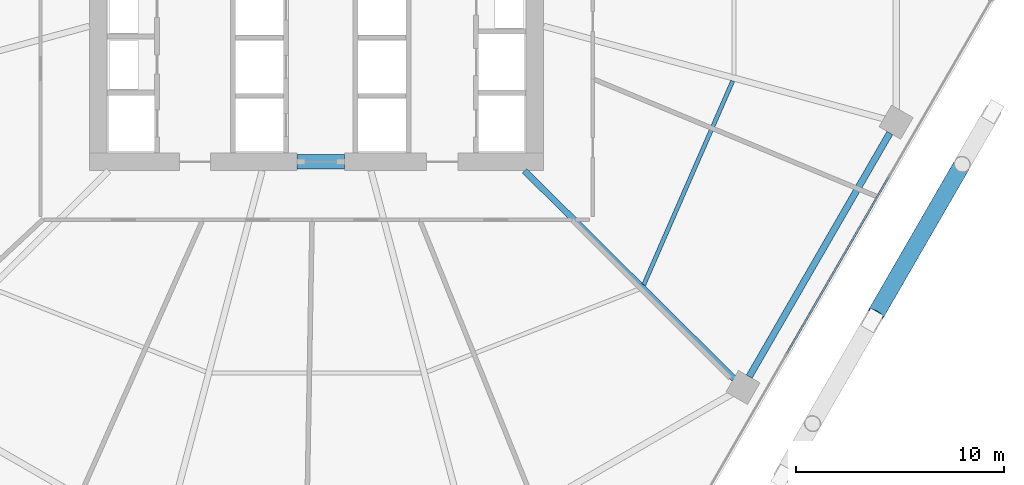
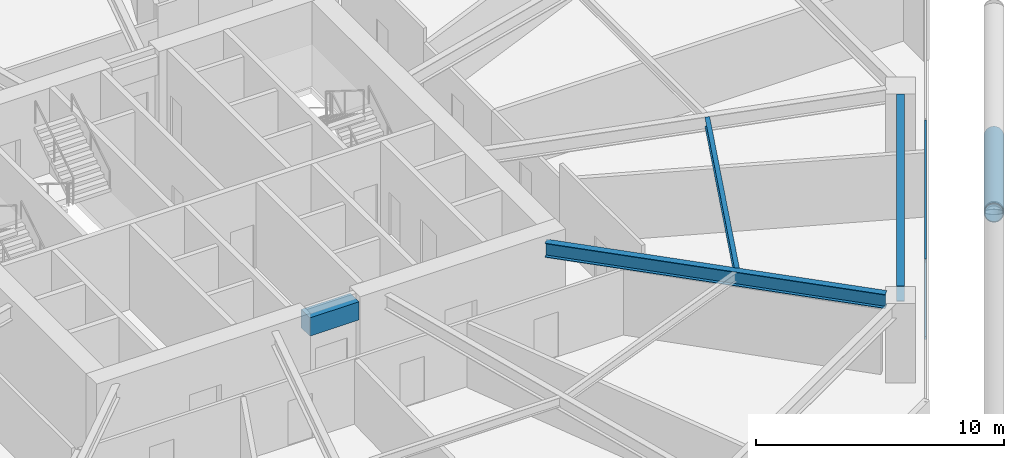
# One storey, part 10 of 28: 4 beams, 3 members, 1 element without a shape of its own.
"""IFC4 building model written with IfcOpenShell, lengths in metres."""

from ifc_helpers import new_model, si_unit, direction, frame, origin, origin_2d, place, context, subcontext, project, spatial, rectangle, hollow_rectangle, hollow_circle, i_section, extrude, material, material_profile, profile_set, type_object, element, aggregate, save


model = new_model("IFC4")

# Units and contexts
model_context = context("Model", 3, precision=1e-05, world=origin(), true_north=direction((0.0, 1.0)))
body_context = subcontext(model_context, "Body", "Model", "MODEL_VIEW")
ifc_project = project(units=[si_unit("LENGTHUNIT", "METRE"), si_unit("AREAUNIT", "SQUARE_METRE"), si_unit("VOLUMEUNIT", "CUBIC_METRE"), si_unit("PLANEANGLEUNIT", "RADIAN"), si_unit("MASSUNIT", "GRAM", prefix="KILO")], contexts=[model_context])

# Site, building, storey
site_placement = place(None, origin())
site = spatial("IfcSite", under=ifc_project, at=site_placement, CompositionType="ELEMENT")
building_placement = place(site_placement, origin())
building = spatial("IfcBuilding", under=site, at=building_placement, Name="Zuhravey Tower", CompositionType="ELEMENT")
storey_placement = place(building_placement, frame((0.0, 0.0, 75.0)))
storey = spatial("IfcBuildingStorey", under=building, at=storey_placement, Name="L18", CompositionType="ELEMENT", Elevation=75.0)

# Beam
ifc_material_1 = material(Name="Concrete C60/75", Category="concrete")
ifc_material_profile_1 = material_profile(ifc_material_1, rectangle(XDim=0.699951171875, YDim=0.89990234375, at=origin_2d()), Name="RC-700x900")
ifc_profile_set_1 = profile_set([ifc_material_profile_1], Name="Concrete C60/75")
beam_type_1 = type_object("IfcBeamType", Name="Core Coupling Beam RC700x900", PredefinedType="LINTEL", material=ifc_profile_set_1)
beam_1_placement = place(storey_placement, frame((35.052001953125, 22.5, 3.469970703125), z_axis=(1.0, 0.0, 0.0), x_axis=(0.0, 1.0, 0.0)))
element("IfcBeam", 1, at=beam_1_placement, inside=storey, type_object=beam_type_1, Name="L18 CB1 BM-L18-CB-S", PredefinedType="LINTEL", context=body_context, shape_type="SweptSolid", body=[
    extrude(rectangle(XDim=0.699951171875, YDim=0.89990234375, at=origin_2d()), origin(), (0.0, 0.0, 1.0), 2.2958984375),
])

# Curtain wall, members
ifc_material_2 = material(Name="Thermally broken anodised aluminium", Category="aluminium")
curtain_wall_type = type_object("IfcCurtainWallType", Name="School Low-E Unitised Curtain Wall CW1", PredefinedType="NOTDEFINED", material=ifc_material_2)
curtain_wall_placement = place(storey_placement, origin())
curtain_wall = element("IfcCurtainWall", 2, at=curtain_wall_placement, inside=storey, type_object=curtain_wall_type, Name="L18 CW1 CW-L18-F6-1", PredefinedType="NOTDEFINED")
ifc_material_3 = material(Name="Anodised aluminium", Category="aluminium")
ifc_material_profile_2 = material_profile(ifc_material_3, hollow_rectangle(XDim=0.090087890625, YDim=0.14990234375, WallThickness=0.0048828125, at=origin_2d()), Name="ALU-RHS-90x150x5")
ifc_profile_set_2 = profile_set([ifc_material_profile_2], Name="Anodised aluminium")
member_type_1 = type_object("IfcMemberType", Name="Curtain-Wall Transom 90x150", PredefinedType="USERDEFINED", material=ifc_profile_set_2)
member_1_placement = place(storey_placement, frame((63.52294921875, 21.754150390625, 0.044921875), z_axis=(-0.499990498062, -0.866030889661, 0.0), x_axis=(0.866030889661, -0.499990498062, 0.0)))
member_1 = element("IfcMember", 3, at=member_1_placement, type_object=member_type_1, Name="CW1 transom 2.1", ObjectType="TRANSOM", PredefinedType="USERDEFINED", context=body_context, shape_type="SweptSolid", body=[
    extrude(hollow_rectangle(XDim=0.090087890625, YDim=0.14990234375, WallThickness=0.0048828125, at=origin_2d()), origin(), (0.0, 0.0, 1.0), 9.776611328125),
])
member_2_placement = place(storey_placement, frame((63.52294921875, 21.754150390625, 3.875), z_axis=(-0.499990498062, -0.866030889661, 0.0), x_axis=(0.866030889661, -0.499990498062, 0.0)))
member_2 = element("IfcMember", 4, at=member_2_placement, type_object=member_type_1, Name="CW1 transom 2.2", ObjectType="TRANSOM", PredefinedType="USERDEFINED", context=body_context, shape_type="SweptSolid", body=[
    extrude(hollow_rectangle(XDim=0.090087890625, YDim=0.14990234375, WallThickness=0.0048828125, at=origin_2d()), origin(), (0.0, 0.0, 1.0), 9.776611328125),
])
aggregate(curtain_wall, [member_1, member_2])

# Member
ifc_material_4 = material(Name="Steel SM460", Category="steel")
ifc_material_profile_3 = material_profile(ifc_material_4, hollow_circle(Radius=0.406494140625, WallThickness=0.035888671875, at=origin_2d()), Name="CHS-812.8x36")
ifc_profile_set_3 = profile_set([ifc_material_profile_3], Name="Steel SM460")
member_type_2 = type_object("IfcMemberType", Name="Exoskeleton Zone 1 Diagrid CHS813x36", PredefinedType="BRACE", material=ifc_profile_set_3)
member_3_placement = place(storey_placement, frame((68.513671875, 24.87841796875, -0.476806640625), z_axis=(-0.470168805096, -0.814366925669, 0.340217290992), x_axis=(0.866028239721, -0.499995087982, 0.0)))
element("IfcMember", 5, at=member_3_placement, inside=storey, type_object=member_type_2, Name="L18 Face 6 Split Diagrid Brace 3A", PredefinedType="BRACE", context=body_context, shape_type="SweptSolid", body=[
    extrude(hollow_circle(Radius=0.406494140625, WallThickness=0.035888671875, at=origin_2d()), origin(), (0.0, 0.0, 1.0), 11.89794921875),
])

# Beams
ifc_material_5 = material(Name="Steel SM355", Category="steel")
ifc_material_profile_4 = material_profile(ifc_material_5, i_section(OverallWidth=0.320068359375, OverallDepth=0.75, WebThickness=0.013916015625, FlangeThickness=0.02490234375, at=origin_2d()), Name="H-750x320x14x25")
ifc_profile_set_4 = profile_set([ifc_material_profile_4], Name="Steel SM355")
beam_type_2 = type_object("IfcBeamType", Name="Perimeter Ring Beam H750x320", PredefinedType="BEAM", material=ifc_profile_set_4)
beam_2_placement = place(storey_placement, frame((56.820556640625, 12.165283203125, 3.544921875), z_axis=(0.499999877243, 0.866025474658, 0.0), x_axis=(-0.866025474658, 0.499999877243, 0.0)))
element("IfcBeam", 6, at=beam_2_placement, inside=storey, type_object=beam_type_2, Name="L18 PB1 BM-L18-PB-11", PredefinedType="BEAM", context=body_context, shape_type="SweptSolid", body=[
    extrude(i_section(OverallWidth=0.320068359375, OverallDepth=0.75, WebThickness=0.013916015625, FlangeThickness=0.02490234375, at=origin_2d()), origin(), (0.0, 0.0, 1.0), 13.5341796875),
])
ifc_material_profile_5 = material_profile(ifc_material_5, i_section(OverallWidth=0.300048828125, OverallDepth=0.699951171875, WebThickness=0.012939453125, FlangeThickness=0.02392578125, at=origin_2d()), Name="H-700x300x13x24")
ifc_profile_set_5 = profile_set([ifc_material_profile_5], Name="Steel SM355")
beam_type_3 = type_object("IfcBeamType", Name="Radial Primary Girder H700x300", PredefinedType="BEAM", material=ifc_profile_set_5)
beam_3_placement = place(storey_placement, frame((46.007080078125, 22.072021484375, 3.570068359375), z_axis=(0.709902823282, -0.704299639, 0.0), x_axis=(0.704299639, 0.709902823282, 0.0)))
element("IfcBeam", 7, at=beam_3_placement, inside=storey, type_object=beam_type_3, Name="L18 RG1 BM-L18-RAD-11", PredefinedType="BEAM", context=body_context, shape_type="SweptSolid", body=[
    extrude(i_section(OverallWidth=0.300048828125, OverallDepth=0.699951171875, WebThickness=0.012939453125, FlangeThickness=0.02392578125, at=origin_2d()), origin(), (0.0, 0.0, 1.0), 14.204345703125),
])
ifc_material_profile_6 = material_profile(ifc_material_5, i_section(OverallWidth=0.199951171875, OverallDepth=0.449951171875, WebThickness=0.009033203125, FlangeThickness=0.013916015625, at=origin_2d()), Name="H-450x200x9x14")
ifc_profile_set_6 = profile_set([ifc_material_profile_6], Name="Steel SM355")
beam_type_4 = type_object("IfcBeamType", Name="Secondary Floor Joist H450x200", PredefinedType="JOIST", material=ifc_profile_set_6)
beam_4_placement = place(storey_placement, frame((51.7451171875, 16.58154296875, 3.695068359375), z_axis=(0.399923551578, 0.916548500022, 0.0), x_axis=(-0.916548500022, 0.399923551578, 0.0)))
element("IfcBeam", 8, at=beam_4_placement, inside=storey, type_object=beam_type_4, Name="L18 SJ1 BM-L18-SJ-11-1", PredefinedType="JOIST", context=body_context, shape_type="SweptSolid", body=[
    extrude(i_section(OverallWidth=0.199951171875, OverallDepth=0.449951171875, WebThickness=0.009033203125, FlangeThickness=0.013916015625, at=origin_2d()), origin(), (0.0, 0.0, 1.0), 10.70263671875),
])

save(model, "model.ifc")
